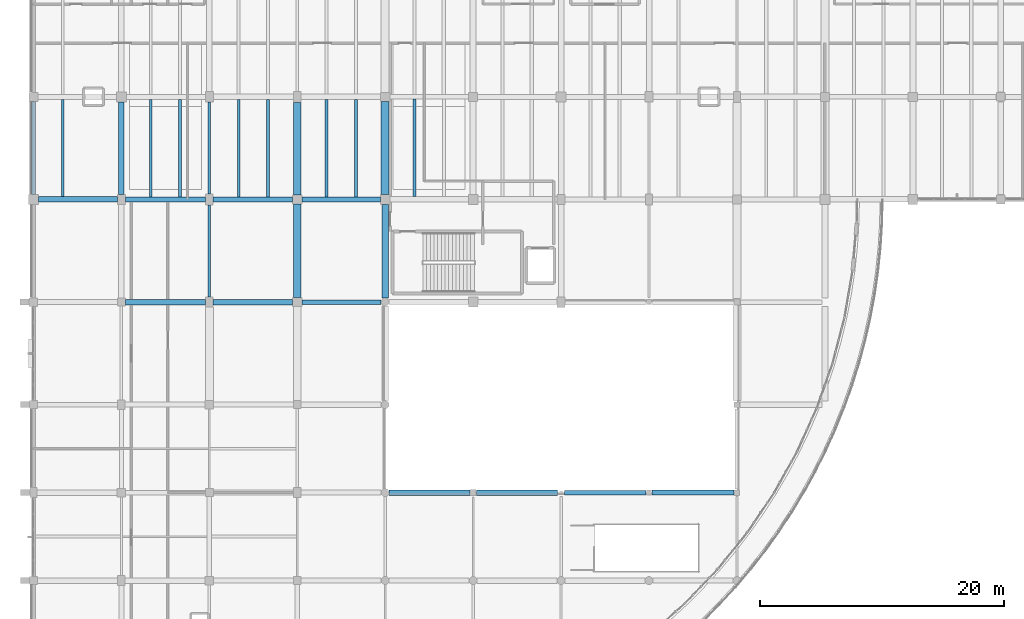
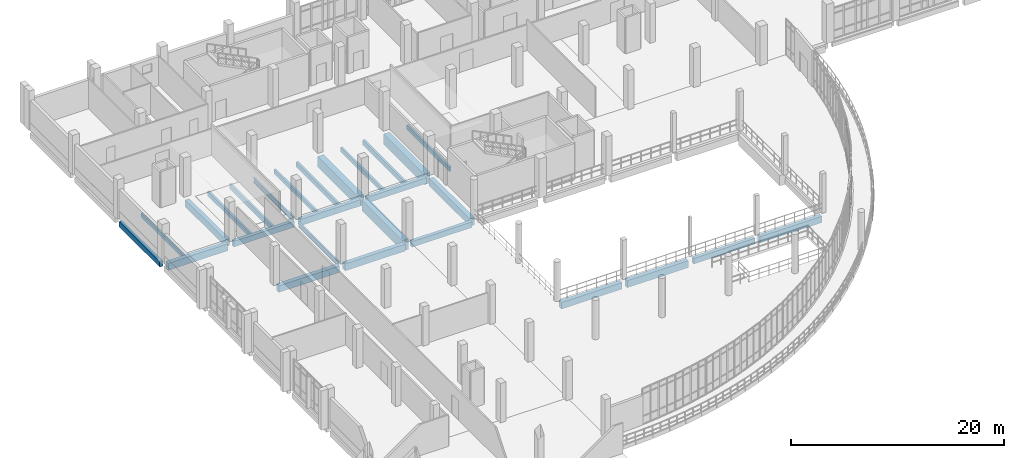
# One storey, part 59 of 116: 27 beams.
"""IFC4 building model written with IfcOpenShell, lengths in metres."""

import ifcopenshell
import ifcopenshell.guid

model = None  # the IFC model being written
_history = None  # IfcOwnerHistory: only IFC2X3 demands one
_inside = {}  # id of a spatial element -> (the spatial element, [elements in it])
_under = {}  # id of a project, library or spatial element -> (it, [spatial elements below it])
_declared = {}  # id of a project -> (the project, [libraries it declares])
_typed = {}  # id of a type object -> (the type object, [elements of that type])
_made_of = {}  # id of a material, layer set ... -> (it, [elements and type objects made of it])


def new_model(schema):
    """Start an empty IFC model of exactly this schema.

    Asked for "IFC4X3", IfcOpenShell would pick the latest addendum, in which some entities
    have other attributes; the version numbers below select the first issue.
    IFC2X3 requires an IfcOwnerHistory on every rooted entity: one is made here for all.
    """
    global model, _history
    if schema == "IFC4X3":
        model = ifcopenshell.file(schema_version=(4, 3, 0, 0))
    else:
        model = ifcopenshell.file(schema=schema)
    _inside.clear()
    _under.clear()
    _declared.clear()
    _typed.clear()
    _made_of.clear()
    _history = None
    if model.schema == "IFC2X3":
        org = make("IfcOrganization", Name="unknown")
        user = make(
            "IfcPersonAndOrganization",
            ThePerson=make("IfcPerson", FamilyName="unknown"),
            TheOrganization=org,
        )
        app = make(
            "IfcApplication",
            ApplicationDeveloper=org,
            Version="unknown",
            ApplicationFullName="unknown",
            ApplicationIdentifier="unknown",
        )
        _history = make(
            "IfcOwnerHistory",
            OwningUser=user,
            OwningApplication=app,
            ChangeAction="ADDED",
            CreationDate=0,
        )
    return model


def make(cls, **values):
    """One entity of the class cls with the attributes given. An attribute that is None is left unset."""
    return model.create_entity(
        cls, **{name: value for name, value in values.items() if value is not None}
    )


def rooted(cls, **values):
    """An entity with a GlobalId (a new one), such as an element, a storey or a relation."""
    return make(cls, GlobalId=ifcopenshell.guid.new(), OwnerHistory=_history, **values)


def si_unit(unit_type, name, prefix=None):
    """IfcSIUnit, for example si_unit("LENGTHUNIT", "METRE", prefix="MILLI")."""
    return make("IfcSIUnit", UnitType=unit_type, Prefix=prefix, Name=name)


def assignment(units):
    """IfcUnitAssignment: the units of a project."""
    return None if units is None else make("IfcUnitAssignment", Units=units)


def point(xyz):
    """IfcCartesianPoint."""
    return None if xyz is None else make("IfcCartesianPoint", Coordinates=xyz)


def direction(xyz):
    """IfcDirection."""
    return None if xyz is None else make("IfcDirection", DirectionRatios=xyz)


def frame(location, z_axis=None, x_axis=None):
    """IfcAxis2Placement3D, a coordinate frame: its origin and axes. An axis left out is left unset."""
    return make(
        "IfcAxis2Placement3D",
        Location=point(location),
        Axis=direction(z_axis),
        RefDirection=direction(x_axis),
    )


def frame_2d(location, x_axis=None):
    """IfcAxis2Placement2D, a coordinate frame in the plane: its origin and x axis."""
    return make(
        "IfcAxis2Placement2D", Location=point(location), RefDirection=direction(x_axis)
    )


def origin():
    """The frame at (0, 0, 0) with its axes left unset."""
    return frame((0.0, 0.0, 0.0))


def origin_2d():
    """The frame at (0, 0) in the plane with its x axis left unset."""
    return frame_2d((0.0, 0.0))


def place(relative_to, where):
    """IfcLocalPlacement: puts the frame where relative to a parent placement (None: the world)."""
    return make(
        "IfcLocalPlacement", PlacementRelTo=relative_to, RelativePlacement=where
    )


def context(
    kind, dimensions, precision=None, world=None, true_north=None, identifier=None
):
    """IfcGeometricRepresentationContext, for example the 3D "Model" context."""
    return make(
        "IfcGeometricRepresentationContext",
        ContextIdentifier=identifier,
        ContextType=kind,
        CoordinateSpaceDimension=dimensions,
        Precision=precision,
        WorldCoordinateSystem=world,
        TrueNorth=true_north,
    )


def subcontext(parent, identifier, kind, view, scale=None):
    """IfcGeometricRepresentationSubContext, for example "Body" below "Model"."""
    return make(
        "IfcGeometricRepresentationSubContext",
        ContextIdentifier=identifier,
        ContextType=kind,
        ParentContext=parent,
        TargetScale=scale,
        TargetView=view,
    )


def project(units=None, contexts=None):
    """IfcProject with its units and contexts."""
    return rooted(
        "IfcProject",
        Name="project",
        RepresentationContexts=contexts,
        UnitsInContext=assignment(units),
    )


def spatial(cls, under=None, at=None, **own):
    """A site, building, storey or space (cls), placed at a placement, below another one or the project."""
    s = rooted(cls, ObjectPlacement=at, **own)
    if under is not None:
        _under.setdefault(under.id(), (under, []))[1].append(s)
    return s


def profile(cls, at=None, kind="AREA", **sizes):
    """A parametric profile (cls). Its sizes go by their IFC names, for example OverallWidth=200.0."""
    return make(cls, ProfileType=kind, Position=at, **sizes)


def rectangle(**sizes):
    """IfcRectangleProfileDef."""
    return profile("IfcRectangleProfileDef", **sizes)


def i_section(**sizes):
    """IfcIShapeProfileDef."""
    return profile("IfcIShapeProfileDef", **sizes)


def extrude(swept, where, along, depth):
    """IfcExtrudedAreaSolid: the profile swept, set in the frame where, extruded along a direction by depth."""
    return make(
        "IfcExtrudedAreaSolid",
        SweptArea=swept,
        Position=where,
        ExtrudedDirection=direction(along),
        Depth=depth,
    )


def shape(context_of_items, identifier, shape_type, items):
    """IfcShapeRepresentation: the items that make up one representation, for example the "Body"."""
    return make(
        "IfcShapeRepresentation",
        ContextOfItems=context_of_items,
        RepresentationIdentifier=identifier,
        RepresentationType=shape_type,
        Items=items,
    )


def material(Name=None, Category=None):
    """IfcMaterial."""
    return make("IfcMaterial", Name=Name, Category=Category)


def material_profile(
    of_material, cross_section, Name=None, Category=None, Priority=None
):
    """IfcMaterialProfile: a cross section and its material."""
    return make(
        "IfcMaterialProfile",
        Name=Name,
        Material=of_material,
        Profile=cross_section,
        Priority=Priority,
        Category=Category,
    )


def profile_set(profiles, Name=None, composite=None):
    """IfcMaterialProfileSet."""
    return make(
        "IfcMaterialProfileSet",
        Name=Name,
        MaterialProfiles=profiles,
        CompositeProfile=composite,
    )


def made_of(thing, what):
    """Note that an element or type object is made of a material, layer set ...; save() writes the relation."""
    if what is not None:
        _made_of.setdefault(what.id(), (what, []))[1].append(thing)
    return thing


def type_object(cls, material=None, **own):
    """A type object (cls), such as IfcWallType, which elements share."""
    return made_of(rooted(cls, **own), material)


def element(
    cls,
    number,
    at=None,
    inside=None,
    cuts=None,
    type_object=None,
    material=None,
    context=None,
    identifier="Body",
    shape_type=None,
    held_by="IfcProductDefinitionShape",
    body=None,
    shapes=None,
    **own,
):
    """One element of the class cls, such as IfcWall. Its Tag is "e" and its number.

    at: its placement. inside: the storey or other place that contains it. cuts: it is an
    opening in that element (IfcRelVoidsElement). A single representation is given by context,
    identifier, shape_type and body (its items); several are given by shapes. held_by: the class
    of the entity that holds the representations. save() writes the other relations.
    """
    e = rooted(cls, Tag="e%d" % number, ObjectPlacement=at, **own)
    if body is not None:
        shapes = [shape(context, identifier, shape_type, body)]
    if shapes is not None:
        e.Representation = make(held_by, Representations=shapes)
    if inside is not None:
        _inside.setdefault(inside.id(), (inside, []))[1].append(e)
    if cuts is not None:
        rooted(
            "IfcRelVoidsElement", RelatingBuildingElement=cuts, RelatedOpeningElement=e
        )
    if type_object is not None:
        _typed.setdefault(type_object.id(), (type_object, []))[1].append(e)
    return made_of(e, material)


def aggregate(whole, parts):
    """IfcRelAggregates: a whole, such as a stair, and the parts it consists of."""
    return rooted("IfcRelAggregates", RelatingObject=whole, RelatedObjects=parts)


def save(model, path):
    """Write the relations noted so far, then the file.

    IfcRelAggregates (storeys below a building ...), IfcRelContainedInSpatialStructure (elements
    in a storey), IfcRelDefinesByType, IfcRelAssociatesMaterial and IfcRelDeclares: one each for
    every whole, place, type object, material and project.
    """
    for whole, parts in _under.values():
        aggregate(whole, parts)
    for where, things in _inside.values():
        rooted(
            "IfcRelContainedInSpatialStructure",
            RelatedElements=things,
            RelatingStructure=where,
        )
    for kind, things in _typed.values():
        rooted("IfcRelDefinesByType", RelatedObjects=things, RelatingType=kind)
    for what, things in _made_of.values():
        rooted("IfcRelAssociatesMaterial", RelatedObjects=things, RelatingMaterial=what)
    for by, libraries in _declared.values():
        rooted("IfcRelDeclares", RelatingContext=by, RelatedDefinitions=libraries)
    model.write(path)


model = new_model("IFC4")

# Units and contexts
model_context = context("Model", 3, precision=1e-05, world=origin(), true_north=direction((0.0, 1.0)))
body_context = subcontext(model_context, "Body", "Model", "MODEL_VIEW")
ifc_project = project(units=[si_unit("LENGTHUNIT", "METRE"), si_unit("AREAUNIT", "SQUARE_METRE"), si_unit("VOLUMEUNIT", "CUBIC_METRE"), si_unit("PLANEANGLEUNIT", "RADIAN"), si_unit("MASSUNIT", "GRAM", prefix="KILO")], contexts=[model_context])

# Site, building, storey
site_placement = place(None, origin())
site = spatial("IfcSite", under=ifc_project, at=site_placement, CompositionType="ELEMENT")
building_placement = place(site_placement, origin())
building = spatial("IfcBuilding", under=site, at=building_placement, Name="Kalluvel Institute of Natural Sciences", CompositionType="ELEMENT")
storey_placement = place(building_placement, frame((0.0, 0.0, 14.39990234375)))
storey = spatial("IfcBuildingStorey", under=building, at=storey_placement, Name="L03", CompositionType="ELEMENT", Elevation=14.39990234375)

# Beams
ifc_material_1 = material(Name="Steel E350 Grade 350", Category="steel")
ifc_material_profile_1 = material_profile(ifc_material_1, i_section(OverallWidth=0.18994140625, OverallDepth=0.550048828125, WebThickness=0.01123046875, FlangeThickness=0.019287109375, FilletRadius=0.01806640625, at=origin_2d()), Name="ISMB 550")
ifc_profile_set_1 = profile_set([ifc_material_profile_1], Name="Steel E350 Grade 350")
beam_type_1 = type_object("IfcBeamType", Name="BM-ISMB550", PredefinedType="BEAM", material=ifc_profile_set_1)
beam_1_placement = place(storey_placement, frame((28.39990234375, 94.800048828125, -0.574951171875), z_axis=(0.0, 1.0, 0.0), x_axis=(-1.0, 0.0, 0.0)))
element("IfcBeam", 1, at=beam_1_placement, inside=storey, type_object=beam_type_1, Name="L03 girder GIR-L03-NS-X284-Y944", PredefinedType="BEAM", context=body_context, shape_type="SweptSolid", body=[
    extrude(i_section(OverallWidth=0.18994140625, OverallDepth=0.550048828125, WebThickness=0.01123046875, FlangeThickness=0.019287109375, FilletRadius=0.01806640625, at=origin_2d()), origin(), (0.0, 0.0, 1.0), 7.550048828125),
])
beam_2_placement = place(storey_placement, frame((28.39990234375, 103.25, -0.594970703125), z_axis=(0.0, 1.0, 0.0), x_axis=(-1.0, 0.0, 0.0)))
element("IfcBeam", 2, at=beam_2_placement, inside=storey, type_object=beam_type_1, Name="L03 girder GIR-L03-NS-X284-Y1028", PredefinedType="BEAM", context=body_context, shape_type="SweptSolid", body=[
    extrude(i_section(OverallWidth=0.18994140625, OverallDepth=0.550048828125, WebThickness=0.01123046875, FlangeThickness=0.019287109375, FilletRadius=0.01806640625, at=origin_2d()), origin(), (0.0, 0.0, 1.0), 7.52490234375),
])
ifc_material_2 = material(Name="Concrete M40", Category="concrete")
ifc_material_profile_2 = material_profile(ifc_material_2, rectangle(XDim=0.3798828125, YDim=0.639892578125, at=origin_2d()), Name="RCB 380x640")
ifc_profile_set_2 = profile_set([ifc_material_profile_2], Name="Concrete M40")
beam_type_2 = type_object("IfcBeamType", Name="BM-RC380x640", PredefinedType="BEAM", material=ifc_profile_set_2)
beam_3_placement = place(storey_placement, frame((57.5, 78.800048828125, -0.639892578125), z_axis=(1.0, 0.0, 0.0), x_axis=(0.0, 1.0, 0.0)))
element("IfcBeam", 3, at=beam_3_placement, inside=storey, type_object=beam_type_2, Name="L03 girder GIR-L03-EW-X572-Y788", PredefinedType="BEAM", context=body_context, shape_type="SweptSolid", body=[
    extrude(rectangle(XDim=0.3798828125, YDim=0.639892578125, at=origin_2d()), origin(), (0.0, 0.0, 1.0), 6.64990234375),
])
beam_4_placement = place(storey_placement, frame((35.97509765625, 94.39990234375, -0.639892578125), z_axis=(1.0, 0.0, 0.0), x_axis=(0.0, 1.0, 0.0)))
element("IfcBeam", 4, at=beam_4_placement, inside=storey, type_object=beam_type_2, Name="L03 girder GIR-L03-EW-X356-Y944", PredefinedType="BEAM", context=body_context, shape_type="SweptSolid", body=[
    extrude(rectangle(XDim=0.3798828125, YDim=0.639892578125, at=origin_2d()), origin(), (0.0, 0.0, 1.0), 6.5),
])
beam_5_placement = place(storey_placement, frame((21.52490234375, 102.800048828125, -0.639892578125), z_axis=(1.0, 0.0, 0.0), x_axis=(0.0, 1.0, 0.0)))
element("IfcBeam", 5, at=beam_5_placement, inside=storey, type_object=beam_type_2, Name="L03 girder GIR-L03-EW-X212-Y1028", PredefinedType="BEAM", context=body_context, shape_type="SweptSolid", body=[
    extrude(rectangle(XDim=0.3798828125, YDim=0.639892578125, at=origin_2d()), origin(), (0.0, 0.0, 1.0), 6.5751953125),
])
ifc_material_profile_3 = material_profile(ifc_material_2, rectangle(XDim=0.39990234375, YDim=0.64990234375, at=origin_2d()), Name="RCB 400x650")
ifc_profile_set_3 = profile_set([ifc_material_profile_3], Name="Concrete M40")
beam_type_3 = type_object("IfcBeamType", Name="BM-RC400x650", PredefinedType="BEAM", material=ifc_profile_set_3)
beam_6_placement = place(storey_placement, frame((35.97509765625, 102.800048828125, -0.64501953125), z_axis=(1.0, 0.0, 0.0), x_axis=(0.0, 1.0, 0.0)))
element("IfcBeam", 6, at=beam_6_placement, inside=storey, type_object=beam_type_3, Name="L03 girder GIR-L03-EW-X356-Y1028", PredefinedType="BEAM", context=body_context, shape_type="SweptSolid", body=[
    extrude(rectangle(XDim=0.39990234375, YDim=0.64990234375, at=origin_2d()), origin(), (0.0, 0.0, 1.0), 6.4248046875),
])
ifc_material_profile_4 = material_profile(ifc_material_2, rectangle(XDim=0.419921875, YDim=0.719970703125, at=origin_2d()), Name="RCB 420x720")
ifc_profile_set_4 = profile_set([ifc_material_profile_4], Name="Concrete M40")
beam_type_4 = type_object("IfcBeamType", Name="BM-RC420x720", PredefinedType="BEAM", material=ifc_profile_set_4)
beam_7_placement = place(storey_placement, frame((64.64990234375, 78.800048828125, -0.679931640625), z_axis=(1.0, 0.0, 0.0), x_axis=(0.0, 1.0, 0.0)))
element("IfcBeam", 7, at=beam_7_placement, inside=storey, type_object=beam_type_4, Name="L03 girder GIR-L03-EW-X644-Y788", PredefinedType="BEAM", context=body_context, shape_type="SweptSolid", body=[
    extrude(rectangle(XDim=0.419921875, YDim=0.719970703125, at=origin_2d()), origin(), (0.0, 0.0, 1.0), 6.72509765625),
])
beam_8_placement = place(storey_placement, frame((28.699951171875, 102.800048828125, -0.679931640625), z_axis=(1.0, 0.0, 0.0), x_axis=(0.0, 1.0, 0.0)))
element("IfcBeam", 8, at=beam_8_placement, inside=storey, type_object=beam_type_4, Name="L03 girder GIR-L03-EW-X284-Y1028", PredefinedType="BEAM", context=body_context, shape_type="SweptSolid", body=[
    extrude(rectangle(XDim=0.419921875, YDim=0.719970703125, at=origin_2d()), origin(), (0.0, 0.0, 1.0), 6.525146484375),
])
ifc_material_profile_5 = material_profile(ifc_material_2, rectangle(XDim=0.449951171875, YDim=0.75, at=origin_2d()), Name="RCB 450x750")
ifc_profile_set_5 = profile_set([ifc_material_profile_5], Name="Concrete M40")
beam_type_5 = type_object("IfcBeamType", Name="BM-RC450x750", PredefinedType="BEAM", material=ifc_profile_set_5)
beam_9_placement = place(storey_placement, frame((43.125, 78.800048828125, -0.69482421875), z_axis=(1.0, 0.0, 0.0), x_axis=(0.0, 1.0, 0.0)))
element("IfcBeam", 9, at=beam_9_placement, inside=storey, type_object=beam_type_5, Name="L03 girder GIR-L03-EW-X428-Y788", PredefinedType="BEAM", context=body_context, shape_type="SweptSolid", body=[
    extrude(rectangle(XDim=0.449951171875, YDim=0.75, at=origin_2d()), origin(), (0.0, 0.0, 1.0), 6.60009765625),
])
beam_10_placement = place(storey_placement, frame((21.52490234375, 94.39990234375, -0.6748046875), z_axis=(1.0, 0.0, 0.0), x_axis=(0.0, 1.0, 0.0)))
element("IfcBeam", 10, at=beam_10_placement, inside=storey, type_object=beam_type_5, Name="L03 girder GIR-L03-EW-X212-Y944", PredefinedType="BEAM", context=body_context, shape_type="SweptSolid", body=[
    extrude(rectangle(XDim=0.449951171875, YDim=0.75, at=origin_2d()), origin(), (0.0, 0.0, 1.0), 6.5751953125),
])
ifc_material_profile_6 = material_profile(ifc_material_2, rectangle(XDim=0.449951171875, YDim=0.800048828125, at=origin_2d()), Name="RCB 450x800")
ifc_profile_set_6 = profile_set([ifc_material_profile_6], Name="Concrete M40")
beam_type_6 = type_object("IfcBeamType", Name="BM-RC450x800", PredefinedType="BEAM", material=ifc_profile_set_6)
beam_11_placement = place(storey_placement, frame((50.27490234375, 78.800048828125, -0.719970703125), z_axis=(1.0, 0.0, 0.0), x_axis=(0.0, 1.0, 0.0)))
element("IfcBeam", 11, at=beam_11_placement, inside=storey, type_object=beam_type_6, Name="L03 girder GIR-L03-EW-X500-Y788", PredefinedType="BEAM", context=body_context, shape_type="SweptSolid", body=[
    extrude(rectangle(XDim=0.449951171875, YDim=0.800048828125, at=origin_2d()), origin(), (0.0, 0.0, 1.0), 6.625),
])
beam_12_placement = place(storey_placement, frame((28.699951171875, 94.39990234375, -0.699951171875), z_axis=(1.0, 0.0, 0.0), x_axis=(0.0, 1.0, 0.0)))
element("IfcBeam", 12, at=beam_12_placement, inside=storey, type_object=beam_type_6, Name="L03 girder GIR-L03-EW-X284-Y944", PredefinedType="BEAM", context=body_context, shape_type="SweptSolid", body=[
    extrude(rectangle(XDim=0.449951171875, YDim=0.800048828125, at=origin_2d()), origin(), (0.0, 0.0, 1.0), 6.525146484375),
])
beam_13_placement = place(storey_placement, frame((14.39990234375, 102.800048828125, -0.719970703125), z_axis=(1.0, 0.0, 0.0), x_axis=(0.0, 1.0, 0.0)))
element("IfcBeam", 13, at=beam_13_placement, inside=storey, type_object=beam_type_6, Name="L03 girder GIR-L03-EW-X140-Y1028", PredefinedType="BEAM", context=body_context, shape_type="SweptSolid", body=[
    extrude(rectangle(XDim=0.449951171875, YDim=0.800048828125, at=origin_2d()), origin(), (0.0, 0.0, 1.0), 6.47509765625),
])
beam_14_placement = place(storey_placement, frame((21.199951171875, 103.22509765625, -0.719970703125), z_axis=(0.0, 1.0, 0.0), x_axis=(-1.0, 0.0, 0.0)))
element("IfcBeam", 14, at=beam_14_placement, inside=storey, type_object=beam_type_6, Name="L03 girder GIR-L03-NS-X212-Y1028", PredefinedType="BEAM", context=body_context, shape_type="SweptSolid", body=[
    extrude(rectangle(XDim=0.449951171875, YDim=0.800048828125, at=origin_2d()), origin(), (0.0, 0.0, 1.0), 7.574951171875),
])
ifc_material_3 = material(Name="Concrete M50", Category="concrete")
ifc_material_profile_7 = material_profile(ifc_material_3, rectangle(XDim=0.5, YDim=0.85009765625, at=origin_2d()), Name="RCB 500x850")
ifc_profile_set_7 = profile_set([ifc_material_profile_7], Name="Concrete M50")
beam_type_7 = type_object("IfcBeamType", Name="BM-RC500x850", PredefinedType="BEAM", material=ifc_profile_set_7)
beam_15_placement = place(storey_placement, frame((42.800048828125, 94.72509765625, -0.744873046875), z_axis=(0.0, 1.0, 0.0), x_axis=(-1.0, 0.0, 0.0)))
element("IfcBeam", 15, at=beam_15_placement, inside=storey, type_object=beam_type_7, Name="L03 girder GIR-L03-NS-X428-Y944", PredefinedType="BEAM", context=body_context, shape_type="SweptSolid", body=[
    extrude(rectangle(XDim=0.5, YDim=0.85009765625, at=origin_2d()), origin(), (0.0, 0.0, 1.0), 7.6748046875),
])
ifc_material_profile_8 = material_profile(ifc_material_3, rectangle(XDim=0.64990234375, YDim=1.199951171875, at=origin_2d()), Name="RCB 650x1200")
ifc_profile_set_8 = profile_set([ifc_material_profile_8], Name="Concrete M50")
beam_type_8 = type_object("IfcBeamType", Name="BM-RC650x1200", PredefinedType="BEAM", material=ifc_profile_set_8)
beam_16_placement = place(storey_placement, frame((35.60009765625, 94.77490234375, -0.89990234375), z_axis=(0.0, 1.0, 0.0), x_axis=(-1.0, 0.0, 0.0)))
element("IfcBeam", 16, at=beam_16_placement, inside=storey, type_object=beam_type_8, Name="L03 girder GIR-L03-NS-X356-Y944", PredefinedType="BEAM", context=body_context, shape_type="SweptSolid", body=[
    extrude(rectangle(XDim=0.64990234375, YDim=1.199951171875, at=origin_2d()), origin(), (0.0, 0.0, 1.0), 7.650146484375),
])
beam_17_placement = place(storey_placement, frame((35.60009765625, 103.175048828125, -0.919921875), z_axis=(0.0, 1.0, 0.0), x_axis=(-1.0, 0.0, 0.0)))
element("IfcBeam", 17, at=beam_17_placement, inside=storey, type_object=beam_type_8, Name="L03 girder GIR-L03-NS-X356-Y1028", PredefinedType="BEAM", context=body_context, shape_type="SweptSolid", body=[
    extrude(rectangle(XDim=0.64990234375, YDim=1.199951171875, at=origin_2d()), origin(), (0.0, 0.0, 1.0), 7.574951171875),
])
beam_18_placement = place(storey_placement, frame((42.800048828125, 103.199951171875, -0.919921875), z_axis=(0.0, 1.0, 0.0), x_axis=(-1.0, 0.0, 0.0)))
element("IfcBeam", 18, at=beam_18_placement, inside=storey, type_object=beam_type_8, Name="L03 girder GIR-L03-NS-X428-Y1028", PredefinedType="BEAM", context=body_context, shape_type="SweptSolid", body=[
    extrude(rectangle(XDim=0.64990234375, YDim=1.199951171875, at=origin_2d()), origin(), (0.0, 0.0, 1.0), 7.625),
])
ifc_material_profile_9 = material_profile(ifc_material_2, rectangle(XDim=0.35009765625, YDim=0.60009765625, at=origin_2d()), Name="RCB 350x600")
ifc_profile_set_9 = profile_set([ifc_material_profile_9], Name="Concrete M40")
beam_type_9 = type_object("IfcBeamType", Name="SP-RC350x600", PredefinedType="SPANDREL", material=ifc_profile_set_9)
beam_19_placement = place(storey_placement, frame((14.0, 103.199951171875, -0.619873046875), z_axis=(0.0, 1.0, 0.0), x_axis=(-1.0, 0.0, 0.0)))
element("IfcBeam", 19, at=beam_19_placement, inside=storey, type_object=beam_type_9, Name="L03 girder GIR-L03-NS-X140-Y1028", PredefinedType="SPANDREL", context=body_context, shape_type="SweptSolid", body=[
    extrude(rectangle(XDim=0.35009765625, YDim=0.60009765625, at=origin_2d()), origin(), (0.0, 0.0, 1.0), 7.625),
])
ifc_material_profile_10 = material_profile(ifc_material_2, rectangle(XDim=0.199951171875, YDim=0.4599609375, at=origin_2d()), Name="WAF 200x460")
ifc_profile_set_10 = profile_set([ifc_material_profile_10], Name="Concrete M40")
beam_type_10 = type_object("IfcBeamType", Name="WJ-200x460", PredefinedType="JOIST", material=ifc_profile_set_10)
beam_20_placement = place(storey_placement, frame((16.39990234375, 103.02490234375, -0.5498046875), z_axis=(0.0, 1.0, 0.0), x_axis=(-1.0, 0.0, 0.0)))
element("IfcBeam", 20, at=beam_20_placement, inside=storey, type_object=beam_type_10, Name="L03 waffle joist RIB-L03-0218", PredefinedType="JOIST", context=body_context, shape_type="SweptSolid", body=[
    extrude(rectangle(XDim=0.199951171875, YDim=0.4599609375, at=origin_2d()), origin(), (0.0, 0.0, 1.0), 7.965087890625),
])
ifc_material_profile_11 = material_profile(ifc_material_2, rectangle(XDim=0.219970703125, YDim=0.5, at=origin_2d()), Name="WAF 220x500")
ifc_profile_set_11 = profile_set([ifc_material_profile_11], Name="Concrete M40")
beam_type_11 = type_object("IfcBeamType", Name="WJ-220x500", PredefinedType="JOIST", material=ifc_profile_set_11)
beam_21_placement = place(storey_placement, frame((23.60009765625, 102.989990234375, -0.56982421875), z_axis=(0.0, 1.0, 0.0), x_axis=(-1.0, 0.0, 0.0)))
element("IfcBeam", 21, at=beam_21_placement, inside=storey, type_object=beam_type_11, Name="L03 waffle joist RIB-L03-0222", PredefinedType="JOIST", context=body_context, shape_type="SweptSolid", body=[
    extrude(rectangle(XDim=0.219970703125, YDim=0.5, at=origin_2d()), origin(), (0.0, 0.0, 1.0), 8.010009765625),
])
beam_22_placement = place(storey_placement, frame((30.800048828125, 103.010009765625, -0.56982421875), z_axis=(0.0, 1.0, 0.0), x_axis=(-1.0, 0.0, 0.0)))
element("IfcBeam", 22, at=beam_22_placement, inside=storey, type_object=beam_type_11, Name="L03 waffle joist RIB-L03-0228", PredefinedType="JOIST", context=body_context, shape_type="SweptSolid", body=[
    extrude(rectangle(XDim=0.219970703125, YDim=0.5, at=origin_2d()), origin(), (0.0, 0.0, 1.0), 7.965087890625),
])
beam_23_placement = place(storey_placement, frame((38.0, 103.0, -0.56982421875), z_axis=(0.0, 1.0, 0.0), x_axis=(-1.0, 0.0, 0.0)))
element("IfcBeam", 23, at=beam_23_placement, inside=storey, type_object=beam_type_11, Name="L03 waffle joist RIB-L03-0233", PredefinedType="JOIST", context=body_context, shape_type="SweptSolid", body=[
    extrude(rectangle(XDim=0.219970703125, YDim=0.5, at=origin_2d()), origin(), (0.0, 0.0, 1.0), 7.97509765625),
])
beam_24_placement = place(storey_placement, frame((45.199951171875, 103.02490234375, -0.56982421875), z_axis=(0.0, 1.0, 0.0), x_axis=(-1.0, 0.0, 0.0)))
element("IfcBeam", 24, at=beam_24_placement, inside=storey, type_object=beam_type_11, Name="L03 waffle joist RIB-L03-0238", PredefinedType="JOIST", context=body_context, shape_type="SweptSolid", body=[
    extrude(rectangle(XDim=0.219970703125, YDim=0.5, at=origin_2d()), origin(), (0.0, 0.0, 1.0), 7.985107421875),
])
ifc_material_profile_12 = material_profile(ifc_material_2, rectangle(XDim=0.25, YDim=0.550048828125, at=origin_2d()), Name="WAF 250x550")
ifc_profile_set_12 = profile_set([ifc_material_profile_12], Name="Concrete M40")
beam_type_12 = type_object("IfcBeamType", Name="WJ-250x550", PredefinedType="JOIST", material=ifc_profile_set_12)
beam_25_placement = place(storey_placement, frame((26.0, 102.989990234375, -0.594970703125), z_axis=(0.0, 1.0, 0.0), x_axis=(-1.0, 0.0, 0.0)))
element("IfcBeam", 25, at=beam_25_placement, inside=storey, type_object=beam_type_12, Name="L03 waffle joist RIB-L03-0223", PredefinedType="JOIST", context=body_context, shape_type="SweptSolid", body=[
    extrude(rectangle(XDim=0.25, YDim=0.550048828125, at=origin_2d()), origin(), (0.0, 0.0, 1.0), 8.010009765625),
])
beam_26_placement = place(storey_placement, frame((33.199951171875, 103.010009765625, -0.594970703125), z_axis=(0.0, 1.0, 0.0), x_axis=(-1.0, 0.0, 0.0)))
element("IfcBeam", 26, at=beam_26_placement, inside=storey, type_object=beam_type_12, Name="L03 waffle joist RIB-L03-0229", PredefinedType="JOIST", context=body_context, shape_type="SweptSolid", body=[
    extrude(rectangle(XDim=0.25, YDim=0.550048828125, at=origin_2d()), origin(), (0.0, 0.0, 1.0), 7.965087890625),
])
beam_27_placement = place(storey_placement, frame((40.39990234375, 103.0, -0.594970703125), z_axis=(0.0, 1.0, 0.0), x_axis=(-1.0, 0.0, 0.0)))
element("IfcBeam", 27, at=beam_27_placement, inside=storey, type_object=beam_type_12, Name="L03 waffle joist RIB-L03-0234", PredefinedType="JOIST", context=body_context, shape_type="SweptSolid", body=[
    extrude(rectangle(XDim=0.25, YDim=0.550048828125, at=origin_2d()), origin(), (0.0, 0.0, 1.0), 7.97509765625),
])

save(model, "model.ifc")
